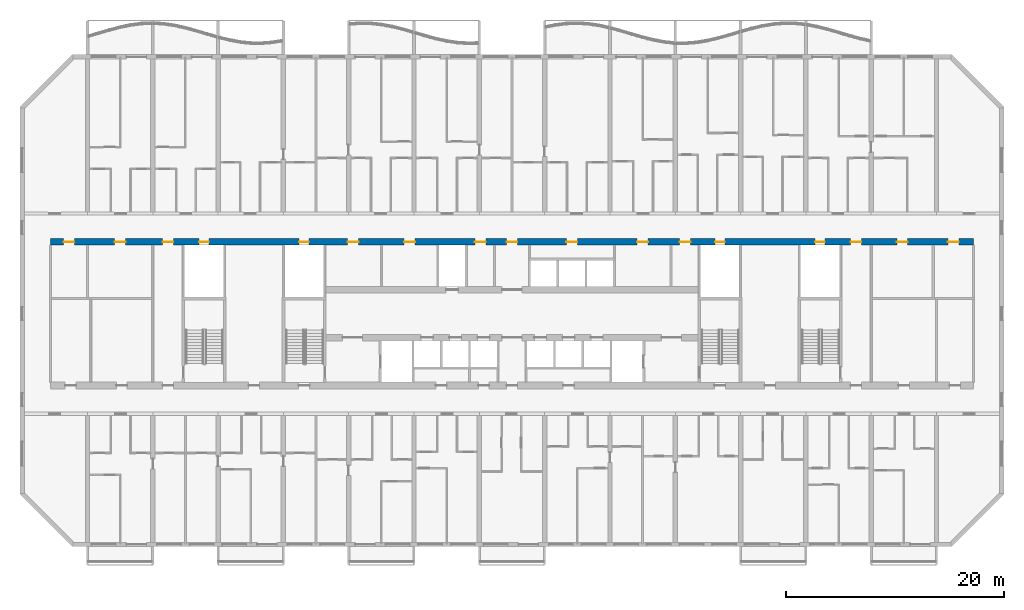
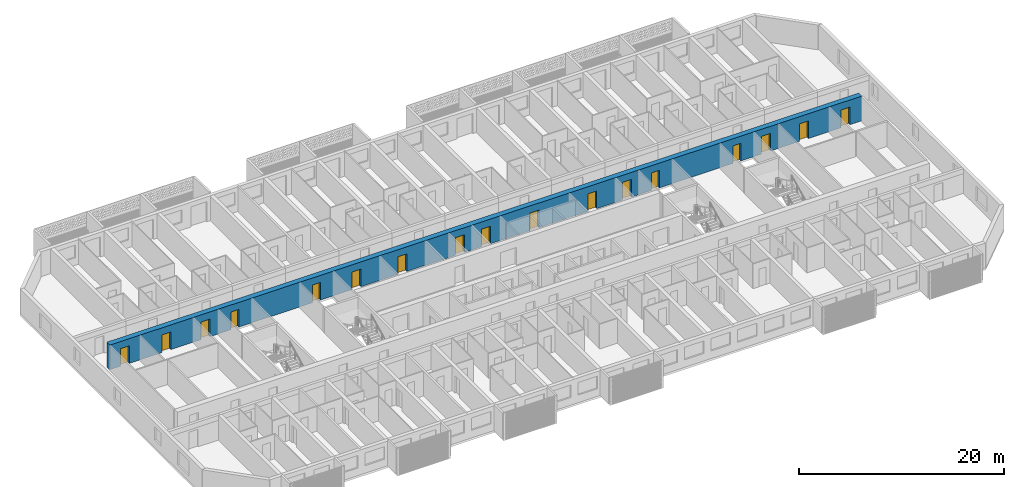
# One storey, part 8 of 39: 17 doors, 1 wall, 17 openings.
"""IFC4 building model written with IfcOpenShell, lengths in metres."""

from ifc_helpers import new_model, si_unit, direction, frame, frame_2d, origin, place, context, subcontext, project, spatial, rectangle, extrude, material, layer, layer_set, type_object, element, fill, save


model = new_model("IFC4")

# Units and contexts
model_context = context("Model", 3, precision=1e-05, world=origin(), true_north=direction((0.0, 1.0)))
body_context = subcontext(model_context, "Body", "Model", "MODEL_VIEW")
ifc_project = project(units=[si_unit("LENGTHUNIT", "METRE"), si_unit("AREAUNIT", "SQUARE_METRE"), si_unit("VOLUMEUNIT", "CUBIC_METRE"), si_unit("PLANEANGLEUNIT", "RADIAN"), si_unit("MASSUNIT", "GRAM", prefix="KILO")], contexts=[model_context])

# Site, building, storey
site_placement = place(None, origin())
site = spatial("IfcSite", under=ifc_project, at=site_placement, CompositionType="ELEMENT")
building_placement = place(site_placement, origin())
building = spatial("IfcBuilding", under=site, at=building_placement, Name="Poui Terraces", CompositionType="ELEMENT")
storey_placement = place(building_placement, frame((0.0, 0.0, 63.0)))
storey = spatial("IfcBuildingStorey", under=building, at=storey_placement, Name="L17", CompositionType="ELEMENT", Elevation=63.0)

# Wall, openings, doors
ifc_material_1 = material(Name="Concrete 80 MPa", Category="concrete")
ifc_layer = layer(ifc_material_1, 0.60009765625)
ifc_layer_set = layer_set([ifc_layer], Name="Concrete 80 MPa")
wall_type = type_object("IfcWallType", Name="SPINE WALL 600 80 MPA", PredefinedType="SOLIDWALL", material=ifc_layer_set)
wall_placement = place(storey_placement, frame((8.60009765625, 27.800048828125, 0.0), z_axis=(0.0, 0.0, 1.0), x_axis=(1.0, 0.0, 0.0)))
wall = element("IfcWall", 1, at=wall_placement, inside=storey, type_object=wall_type, Name="SPINE WALL", PredefinedType="SOLIDWALL", context=body_context, shape_type="SweptSolid", body=[
    extrude(rectangle(XDim=84.7998046875, YDim=0.60009765625, at=frame_2d((42.39990234375, 0.0))), origin(), (0.0, 0.0, 1.0), 2.949951171875),
])
opening_1_placement = place(wall_placement, frame((1.199951171875, 0.0, 0.0)))
opening_1 = element("IfcOpeningElement", 2, at=opening_1_placement, cuts=wall, Name="Opening FD60", PredefinedType="OPENING", context=body_context, shape_type="SweptSolid", body=[
    extrude(rectangle(XDim=1.0, YDim=2.10009765625, at=frame_2d((0.5, 1.050048828125))), frame((0.0, 0.31005859375, 0.0), z_axis=(0.0, -1.0, 0.0), x_axis=(1.0, 0.0, 0.0)), (0.0, 0.0, 1.0), 0.6201171875),
])
opening_2_placement = place(wall_placement, frame((5.89990234375, 0.0, 0.0)))
opening_2 = element("IfcOpeningElement", 3, at=opening_2_placement, cuts=wall, Name="Opening FD60", PredefinedType="OPENING", context=body_context, shape_type="SweptSolid", body=[
    extrude(rectangle(XDim=1.0, YDim=2.10009765625, at=frame_2d((0.5, 1.050048828125))), frame((0.0, 0.31005859375, 0.0), z_axis=(0.0, -1.0, 0.0), x_axis=(1.0, 0.0, 0.0)), (0.0, 0.0, 1.0), 0.6201171875),
])
opening_3_placement = place(wall_placement, frame((10.300048828125, 0.0, 0.0)))
opening_3 = element("IfcOpeningElement", 4, at=opening_3_placement, cuts=wall, Name="Opening FDL", PredefinedType="OPENING", context=body_context, shape_type="SweptSolid", body=[
    extrude(rectangle(XDim=1.0, YDim=2.10009765625, at=frame_2d((0.5, 1.050048828125))), frame((0.0, 0.31005859375, 0.0), z_axis=(0.0, -1.0, 0.0), x_axis=(1.0, 0.0, 0.0)), (0.0, 0.0, 1.0), 0.6201171875),
])
opening_4_placement = place(wall_placement, frame((13.64990234375, 0.0, 0.0)))
opening_4 = element("IfcOpeningElement", 5, at=opening_4_placement, cuts=wall, Name="Opening FDR", PredefinedType="OPENING", context=body_context, shape_type="SweptSolid", body=[
    extrude(rectangle(XDim=0.89990234375, YDim=2.10009765625, at=frame_2d((0.449951171875, 1.050048828125))), frame((0.0, 0.31005859375, 0.0), z_axis=(0.0, -1.0, 0.0), x_axis=(1.0, 0.0, 0.0)), (0.0, 0.0, 1.0), 0.6201171875),
])
opening_5_placement = place(wall_placement, frame((22.85009765625, 0.0, 0.0)))
opening_5 = element("IfcOpeningElement", 6, at=opening_5_placement, cuts=wall, Name="Opening FDR", PredefinedType="OPENING", context=body_context, shape_type="SweptSolid", body=[
    extrude(rectangle(XDim=0.89990234375, YDim=2.10009765625, at=frame_2d((0.449951171875, 1.050048828125))), frame((0.0, 0.31005859375, 0.0), z_axis=(0.0, -1.0, 0.0), x_axis=(1.0, 0.0, 0.0)), (0.0, 0.0, 1.0), 0.6201171875),
])
opening_6_placement = place(wall_placement, frame((27.300048828125, 0.0, 0.0)))
opening_6 = element("IfcOpeningElement", 7, at=opening_6_placement, cuts=wall, Name="Opening FD60", PredefinedType="OPENING", context=body_context, shape_type="SweptSolid", body=[
    extrude(rectangle(XDim=1.0, YDim=2.10009765625, at=frame_2d((0.5, 1.050048828125))), frame((0.0, 0.31005859375, 0.0), z_axis=(0.0, -1.0, 0.0), x_axis=(1.0, 0.0, 0.0)), (0.0, 0.0, 1.0), 0.6201171875),
])
opening_7_placement = place(wall_placement, frame((32.5, 0.0, 0.0)))
opening_7 = element("IfcOpeningElement", 8, at=opening_7_placement, cuts=wall, Name="Opening FD60", PredefinedType="OPENING", context=body_context, shape_type="SweptSolid", body=[
    extrude(rectangle(XDim=1.0, YDim=2.10009765625, at=frame_2d((0.5, 1.050048828125))), frame((0.0, 0.31005859375, 0.0), z_axis=(0.0, -1.0, 0.0), x_axis=(1.0, 0.0, 0.0)), (0.0, 0.0, 1.0), 0.6201171875),
])
opening_8_placement = place(wall_placement, frame((39.0, 0.0, 0.0)))
opening_8 = element("IfcOpeningElement", 9, at=opening_8_placement, cuts=wall, Name="Opening FD60", PredefinedType="OPENING", context=body_context, shape_type="SweptSolid", body=[
    extrude(rectangle(XDim=1.0, YDim=2.10009765625, at=frame_2d((0.5, 1.050048828125))), frame((0.0, 0.31005859375, 0.0), z_axis=(0.0, -1.0, 0.0), x_axis=(1.0, 0.0, 0.0)), (0.0, 0.0, 1.0), 0.6201171875),
])
opening_9_placement = place(wall_placement, frame((41.89990234375, 0.0, 0.0)))
opening_9 = element("IfcOpeningElement", 10, at=opening_9_placement, cuts=wall, Name="Opening FDL", PredefinedType="OPENING", context=body_context, shape_type="SweptSolid", body=[
    extrude(rectangle(XDim=1.0, YDim=2.10009765625, at=frame_2d((0.5, 1.050048828125))), frame((0.0, 0.31005859375, 0.0), z_axis=(0.0, -1.0, 0.0), x_axis=(1.0, 0.0, 0.0)), (0.0, 0.0, 1.0), 0.6201171875),
])
opening_10_placement = place(wall_placement, frame((47.39990234375, 0.0, 0.0)))
opening_10 = element("IfcOpeningElement", 11, at=opening_10_placement, cuts=wall, Name="Opening FD60", PredefinedType="OPENING", context=body_context, shape_type="SweptSolid", body=[
    extrude(rectangle(XDim=1.0, YDim=2.10009765625, at=frame_2d((0.5, 1.050048828125))), frame((0.0, 0.31005859375, 0.0), z_axis=(0.0, -1.0, 0.0), x_axis=(1.0, 0.0, 0.0)), (0.0, 0.0, 1.0), 0.6201171875),
])
opening_11_placement = place(wall_placement, frame((53.89990234375, 0.0, 0.0)))
opening_11 = element("IfcOpeningElement", 12, at=opening_11_placement, cuts=wall, Name="Opening FD60", PredefinedType="OPENING", context=body_context, shape_type="SweptSolid", body=[
    extrude(rectangle(XDim=1.0, YDim=2.10009765625, at=frame_2d((0.5, 1.050048828125))), frame((0.0, 0.31005859375, 0.0), z_axis=(0.0, -1.0, 0.0), x_axis=(1.0, 0.0, 0.0)), (0.0, 0.0, 1.0), 0.6201171875),
])
opening_12_placement = place(wall_placement, frame((57.800048828125, 0.0, 0.0)))
opening_12 = element("IfcOpeningElement", 13, at=opening_12_placement, cuts=wall, Name="Opening FD60", PredefinedType="OPENING", context=body_context, shape_type="SweptSolid", body=[
    extrude(rectangle(XDim=1.0, YDim=2.10009765625, at=frame_2d((0.5, 1.050048828125))), frame((0.0, 0.31005859375, 0.0), z_axis=(0.0, -1.0, 0.0), x_axis=(1.0, 0.0, 0.0)), (0.0, 0.0, 1.0), 0.6201171875),
])
opening_13_placement = place(wall_placement, frame((61.050048828125, 0.0, 0.0)))
opening_13 = element("IfcOpeningElement", 14, at=opening_13_placement, cuts=wall, Name="Opening FDR", PredefinedType="OPENING", context=body_context, shape_type="SweptSolid", body=[
    extrude(rectangle(XDim=0.89990234375, YDim=2.10009765625, at=frame_2d((0.449951171875, 1.050048828125))), frame((0.0, 0.31005859375, 0.0), z_axis=(0.0, -1.0, 0.0), x_axis=(1.0, 0.0, 0.0)), (0.0, 0.0, 1.0), 0.6201171875),
])
opening_14_placement = place(wall_placement, frame((70.25, 0.0, 0.0)))
opening_14 = element("IfcOpeningElement", 15, at=opening_14_placement, cuts=wall, Name="Opening FDR", PredefinedType="OPENING", context=body_context, shape_type="SweptSolid", body=[
    extrude(rectangle(XDim=0.89990234375, YDim=2.10009765625, at=frame_2d((0.449951171875, 1.050048828125))), frame((0.0, 0.31005859375, 0.0), z_axis=(0.0, -1.0, 0.0), x_axis=(1.0, 0.0, 0.0)), (0.0, 0.0, 1.0), 0.6201171875),
])
opening_15_placement = place(wall_placement, frame((73.5, 0.0, 0.0)))
opening_15 = element("IfcOpeningElement", 16, at=opening_15_placement, cuts=wall, Name="Opening FDL", PredefinedType="OPENING", context=body_context, shape_type="SweptSolid", body=[
    extrude(rectangle(XDim=1.0, YDim=2.10009765625, at=frame_2d((0.5, 1.050048828125))), frame((0.0, 0.31005859375, 0.0), z_axis=(0.0, -1.0, 0.0), x_axis=(1.0, 0.0, 0.0)), (0.0, 0.0, 1.0), 0.6201171875),
])
opening_16_placement = place(wall_placement, frame((77.75, 0.0, 0.0)))
opening_16 = element("IfcOpeningElement", 17, at=opening_16_placement, cuts=wall, Name="Opening FD60", PredefinedType="OPENING", context=body_context, shape_type="SweptSolid", body=[
    extrude(rectangle(XDim=1.0, YDim=2.10009765625, at=frame_2d((0.5, 1.050048828125))), frame((0.0, 0.31005859375, 0.0), z_axis=(0.0, -1.0, 0.0), x_axis=(1.0, 0.0, 0.0)), (0.0, 0.0, 1.0), 0.6201171875),
])
opening_17_placement = place(wall_placement, frame((82.449951171875, 0.0, 0.0)))
opening_17 = element("IfcOpeningElement", 18, at=opening_17_placement, cuts=wall, Name="Opening FD60", PredefinedType="OPENING", context=body_context, shape_type="SweptSolid", body=[
    extrude(rectangle(XDim=1.0, YDim=2.10009765625, at=frame_2d((0.5, 1.050048828125))), frame((0.0, 0.31005859375, 0.0), z_axis=(0.0, -1.0, 0.0), x_axis=(1.0, 0.0, 0.0)), (0.0, 0.0, 1.0), 0.6201171875),
])
ifc_material_2 = material(Name="Steel fire door", Category="steel")
door_type_1 = type_object("IfcDoorType", Name="LOBBY FIRE DOOR 1000 X 2100", OperationType="NOTDEFINED", PredefinedType="DOOR", material=ifc_material_2)
door_1_placement = place(opening_3_placement, origin())
door_1 = element("IfcDoor", 19, at=door_1_placement, inside=storey, type_object=door_type_1, Name="LOBBY FIRE DOOR 003", OperationType="SINGLE_SWING_LEFT", OverallHeight=2.10009765625, OverallWidth=1.0, PredefinedType="DOOR", context=body_context, shape_type="SweptSolid", body=[
    extrude(rectangle(XDim=1.0, YDim=2.10009765625, at=frame_2d((0.5, 1.050048828125))), frame((0.0, 0.02490234375, 0.0), z_axis=(0.0, -1.0, 0.0), x_axis=(1.0, 0.0, 0.0)), (0.0, 0.0, 1.0), 0.050048828125),
])
fill(opening_3, door_1)
door_2_placement = place(opening_9_placement, origin())
door_2 = element("IfcDoor", 20, at=door_2_placement, inside=storey, type_object=door_type_1, Name="LOBBY FIRE DOOR 009", OperationType="SINGLE_SWING_RIGHT", OverallHeight=2.10009765625, OverallWidth=1.0, PredefinedType="DOOR", context=body_context, shape_type="SweptSolid", body=[
    extrude(rectangle(XDim=1.0, YDim=2.10009765625, at=frame_2d((0.5, 1.050048828125))), frame((0.0, 0.02490234375, 0.0), z_axis=(0.0, -1.0, 0.0), x_axis=(1.0, 0.0, 0.0)), (0.0, 0.0, 1.0), 0.050048828125),
])
fill(opening_9, door_2)
door_3_placement = place(opening_15_placement, origin())
door_3 = element("IfcDoor", 21, at=door_3_placement, inside=storey, type_object=door_type_1, Name="LOBBY FIRE DOOR 015", OperationType="SINGLE_SWING_RIGHT", OverallHeight=2.10009765625, OverallWidth=1.0, PredefinedType="DOOR", context=body_context, shape_type="SweptSolid", body=[
    extrude(rectangle(XDim=1.0, YDim=2.10009765625, at=frame_2d((0.5, 1.050048828125))), frame((0.0, 0.02490234375, 0.0), z_axis=(0.0, -1.0, 0.0), x_axis=(1.0, 0.0, 0.0)), (0.0, 0.0, 1.0), 0.050048828125),
])
fill(opening_15, door_3)
door_type_2 = type_object("IfcDoorType", Name="RISER CUPBOARD DOOR 900 X 2100", OperationType="NOTDEFINED", PredefinedType="DOOR", material=ifc_material_2)
door_4_placement = place(opening_4_placement, origin())
door_4 = element("IfcDoor", 22, at=door_4_placement, inside=storey, type_object=door_type_2, Name="RISER CUPBOARD DOOR 004", OperationType="SINGLE_SWING_LEFT", OverallHeight=2.10009765625, OverallWidth=0.89990234375, PredefinedType="DOOR", context=body_context, shape_type="SweptSolid", body=[
    extrude(rectangle(XDim=0.89990234375, YDim=2.10009765625, at=frame_2d((0.449951171875, 1.050048828125))), frame((0.0, 0.02490234375, 0.0), z_axis=(0.0, -1.0, 0.0), x_axis=(1.0, 0.0, 0.0)), (0.0, 0.0, 1.0), 0.050048828125),
])
fill(opening_4, door_4)
door_5_placement = place(opening_5_placement, origin())
door_5 = element("IfcDoor", 23, at=door_5_placement, inside=storey, type_object=door_type_2, Name="RISER CUPBOARD DOOR 005", OperationType="SINGLE_SWING_LEFT", OverallHeight=2.10009765625, OverallWidth=0.89990234375, PredefinedType="DOOR", context=body_context, shape_type="SweptSolid", body=[
    extrude(rectangle(XDim=0.89990234375, YDim=2.10009765625, at=frame_2d((0.449951171875, 1.050048828125))), frame((0.0, 0.02490234375, 0.0), z_axis=(0.0, -1.0, 0.0), x_axis=(1.0, 0.0, 0.0)), (0.0, 0.0, 1.0), 0.050048828125),
])
fill(opening_5, door_5)
door_6_placement = place(opening_13_placement, origin())
door_6 = element("IfcDoor", 24, at=door_6_placement, inside=storey, type_object=door_type_2, Name="RISER CUPBOARD DOOR 013", OperationType="SINGLE_SWING_RIGHT", OverallHeight=2.10009765625, OverallWidth=0.89990234375, PredefinedType="DOOR", context=body_context, shape_type="SweptSolid", body=[
    extrude(rectangle(XDim=0.89990234375, YDim=2.10009765625, at=frame_2d((0.449951171875, 1.050048828125))), frame((0.0, 0.02490234375, 0.0), z_axis=(0.0, -1.0, 0.0), x_axis=(1.0, 0.0, 0.0)), (0.0, 0.0, 1.0), 0.050048828125),
])
fill(opening_13, door_6)
door_7_placement = place(opening_14_placement, origin())
door_7 = element("IfcDoor", 25, at=door_7_placement, inside=storey, type_object=door_type_2, Name="RISER CUPBOARD DOOR 014", OperationType="SINGLE_SWING_RIGHT", OverallHeight=2.10009765625, OverallWidth=0.89990234375, PredefinedType="DOOR", context=body_context, shape_type="SweptSolid", body=[
    extrude(rectangle(XDim=0.89990234375, YDim=2.10009765625, at=frame_2d((0.449951171875, 1.050048828125))), frame((0.0, 0.02490234375, 0.0), z_axis=(0.0, -1.0, 0.0), x_axis=(1.0, 0.0, 0.0)), (0.0, 0.0, 1.0), 0.050048828125),
])
fill(opening_14, door_7)
door_type_3 = type_object("IfcDoorType", Name="SERVICE ROOM FIRE DOOR 1000 X 2100", OperationType="NOTDEFINED", PredefinedType="DOOR", material=ifc_material_2)
door_8_placement = place(opening_1_placement, origin())
door_8 = element("IfcDoor", 26, at=door_8_placement, inside=storey, type_object=door_type_3, Name="SERVICE ROOM FIRE DOOR 001", OperationType="SINGLE_SWING_RIGHT", OverallHeight=2.10009765625, OverallWidth=1.0, PredefinedType="DOOR", context=body_context, shape_type="SweptSolid", body=[
    extrude(rectangle(XDim=1.0, YDim=2.10009765625, at=frame_2d((0.5, 1.050048828125))), frame((0.0, 0.02490234375, 0.0), z_axis=(0.0, -1.0, 0.0), x_axis=(1.0, 0.0, 0.0)), (0.0, 0.0, 1.0), 0.050048828125),
])
fill(opening_1, door_8)
door_9_placement = place(opening_2_placement, origin())
door_9 = element("IfcDoor", 27, at=door_9_placement, inside=storey, type_object=door_type_3, Name="SERVICE ROOM FIRE DOOR 002", OperationType="SINGLE_SWING_LEFT", OverallHeight=2.10009765625, OverallWidth=1.0, PredefinedType="DOOR", context=body_context, shape_type="SweptSolid", body=[
    extrude(rectangle(XDim=1.0, YDim=2.10009765625, at=frame_2d((0.5, 1.050048828125))), frame((0.0, 0.02490234375, 0.0), z_axis=(0.0, -1.0, 0.0), x_axis=(1.0, 0.0, 0.0)), (0.0, 0.0, 1.0), 0.050048828125),
])
fill(opening_2, door_9)
door_10_placement = place(opening_6_placement, origin())
door_10 = element("IfcDoor", 28, at=door_10_placement, inside=storey, type_object=door_type_3, Name="SERVICE ROOM FIRE DOOR 006", OperationType="SINGLE_SWING_RIGHT", OverallHeight=2.10009765625, OverallWidth=1.0, PredefinedType="DOOR", context=body_context, shape_type="SweptSolid", body=[
    extrude(rectangle(XDim=1.0, YDim=2.10009765625, at=frame_2d((0.5, 1.050048828125))), frame((0.0, 0.02490234375, 0.0), z_axis=(0.0, -1.0, 0.0), x_axis=(1.0, 0.0, 0.0)), (0.0, 0.0, 1.0), 0.050048828125),
])
fill(opening_6, door_10)
door_11_placement = place(opening_7_placement, origin())
door_11 = element("IfcDoor", 29, at=door_11_placement, inside=storey, type_object=door_type_3, Name="SERVICE ROOM FIRE DOOR 007", OperationType="SINGLE_SWING_LEFT", OverallHeight=2.10009765625, OverallWidth=1.0, PredefinedType="DOOR", context=body_context, shape_type="SweptSolid", body=[
    extrude(rectangle(XDim=1.0, YDim=2.10009765625, at=frame_2d((0.5, 1.050048828125))), frame((0.0, 0.02490234375, 0.0), z_axis=(0.0, -1.0, 0.0), x_axis=(1.0, 0.0, 0.0)), (0.0, 0.0, 1.0), 0.050048828125),
])
fill(opening_7, door_11)
door_12_placement = place(opening_8_placement, origin())
door_12 = element("IfcDoor", 30, at=door_12_placement, inside=storey, type_object=door_type_3, Name="SERVICE ROOM FIRE DOOR 008", OperationType="SINGLE_SWING_RIGHT", OverallHeight=2.10009765625, OverallWidth=1.0, PredefinedType="DOOR", context=body_context, shape_type="SweptSolid", body=[
    extrude(rectangle(XDim=1.0, YDim=2.10009765625, at=frame_2d((0.5, 1.050048828125))), frame((0.0, 0.02490234375, 0.0), z_axis=(0.0, -1.0, 0.0), x_axis=(1.0, 0.0, 0.0)), (0.0, 0.0, 1.0), 0.050048828125),
])
fill(opening_8, door_12)
door_13_placement = place(opening_10_placement, origin())
door_13 = element("IfcDoor", 31, at=door_13_placement, inside=storey, type_object=door_type_3, Name="SERVICE ROOM FIRE DOOR 010", OperationType="SINGLE_SWING_LEFT", OverallHeight=2.10009765625, OverallWidth=1.0, PredefinedType="DOOR", context=body_context, shape_type="SweptSolid", body=[
    extrude(rectangle(XDim=1.0, YDim=2.10009765625, at=frame_2d((0.5, 1.050048828125))), frame((0.0, 0.02490234375, 0.0), z_axis=(0.0, -1.0, 0.0), x_axis=(1.0, 0.0, 0.0)), (0.0, 0.0, 1.0), 0.050048828125),
])
fill(opening_10, door_13)
door_14_placement = place(opening_11_placement, origin())
door_14 = element("IfcDoor", 32, at=door_14_placement, inside=storey, type_object=door_type_3, Name="SERVICE ROOM FIRE DOOR 011", OperationType="SINGLE_SWING_RIGHT", OverallHeight=2.10009765625, OverallWidth=1.0, PredefinedType="DOOR", context=body_context, shape_type="SweptSolid", body=[
    extrude(rectangle(XDim=1.0, YDim=2.10009765625, at=frame_2d((0.5, 1.050048828125))), frame((0.0, 0.02490234375, 0.0), z_axis=(0.0, -1.0, 0.0), x_axis=(1.0, 0.0, 0.0)), (0.0, 0.0, 1.0), 0.050048828125),
])
fill(opening_11, door_14)
door_15_placement = place(opening_12_placement, origin())
door_15 = element("IfcDoor", 33, at=door_15_placement, inside=storey, type_object=door_type_3, Name="SERVICE ROOM FIRE DOOR 012", OperationType="SINGLE_SWING_LEFT", OverallHeight=2.10009765625, OverallWidth=1.0, PredefinedType="DOOR", context=body_context, shape_type="SweptSolid", body=[
    extrude(rectangle(XDim=1.0, YDim=2.10009765625, at=frame_2d((0.5, 1.050048828125))), frame((0.0, 0.02490234375, 0.0), z_axis=(0.0, -1.0, 0.0), x_axis=(1.0, 0.0, 0.0)), (0.0, 0.0, 1.0), 0.050048828125),
])
fill(opening_12, door_15)
door_16_placement = place(opening_16_placement, origin())
door_16 = element("IfcDoor", 34, at=door_16_placement, inside=storey, type_object=door_type_3, Name="SERVICE ROOM FIRE DOOR 016", OperationType="SINGLE_SWING_RIGHT", OverallHeight=2.10009765625, OverallWidth=1.0, PredefinedType="DOOR", context=body_context, shape_type="SweptSolid", body=[
    extrude(rectangle(XDim=1.0, YDim=2.10009765625, at=frame_2d((0.5, 1.050048828125))), frame((0.0, 0.02490234375, 0.0), z_axis=(0.0, -1.0, 0.0), x_axis=(1.0, 0.0, 0.0)), (0.0, 0.0, 1.0), 0.050048828125),
])
fill(opening_16, door_16)
door_17_placement = place(opening_17_placement, origin())
door_17 = element("IfcDoor", 35, at=door_17_placement, inside=storey, type_object=door_type_3, Name="SERVICE ROOM FIRE DOOR 017", OperationType="SINGLE_SWING_LEFT", OverallHeight=2.10009765625, OverallWidth=1.0, PredefinedType="DOOR", context=body_context, shape_type="SweptSolid", body=[
    extrude(rectangle(XDim=1.0, YDim=2.10009765625, at=frame_2d((0.5, 1.050048828125))), frame((0.0, 0.02490234375, 0.0), z_axis=(0.0, -1.0, 0.0), x_axis=(1.0, 0.0, 0.0)), (0.0, 0.0, 1.0), 0.050048828125),
])
fill(opening_17, door_17)

save(model, "model.ifc")
